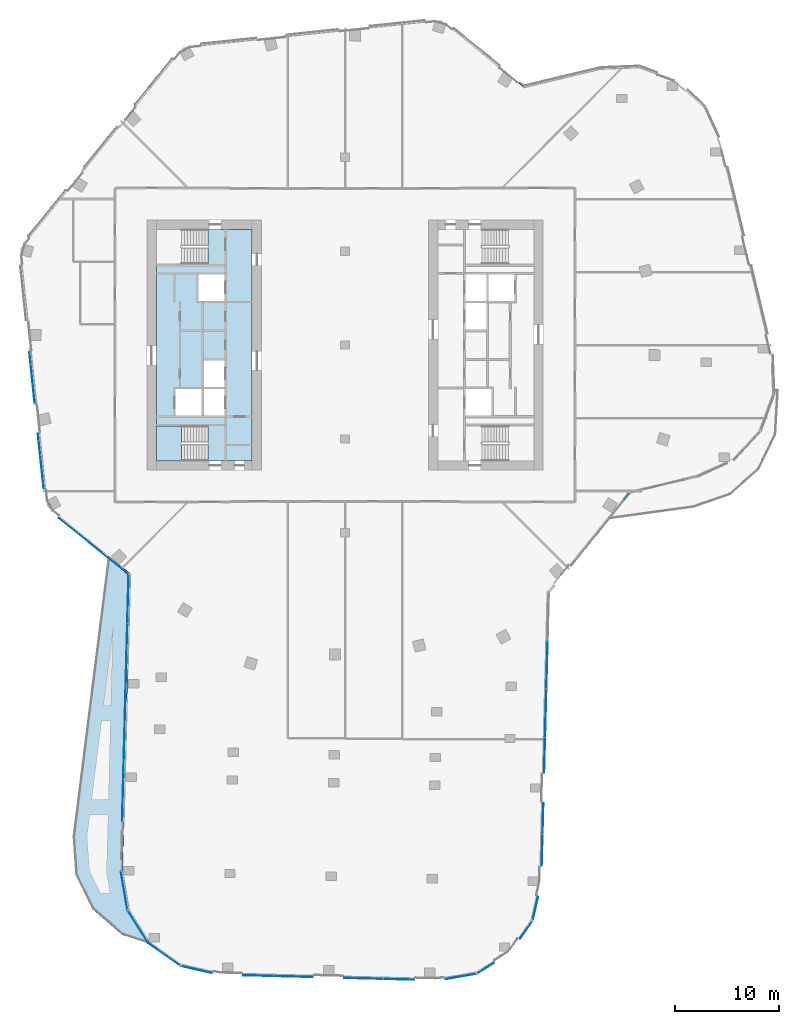
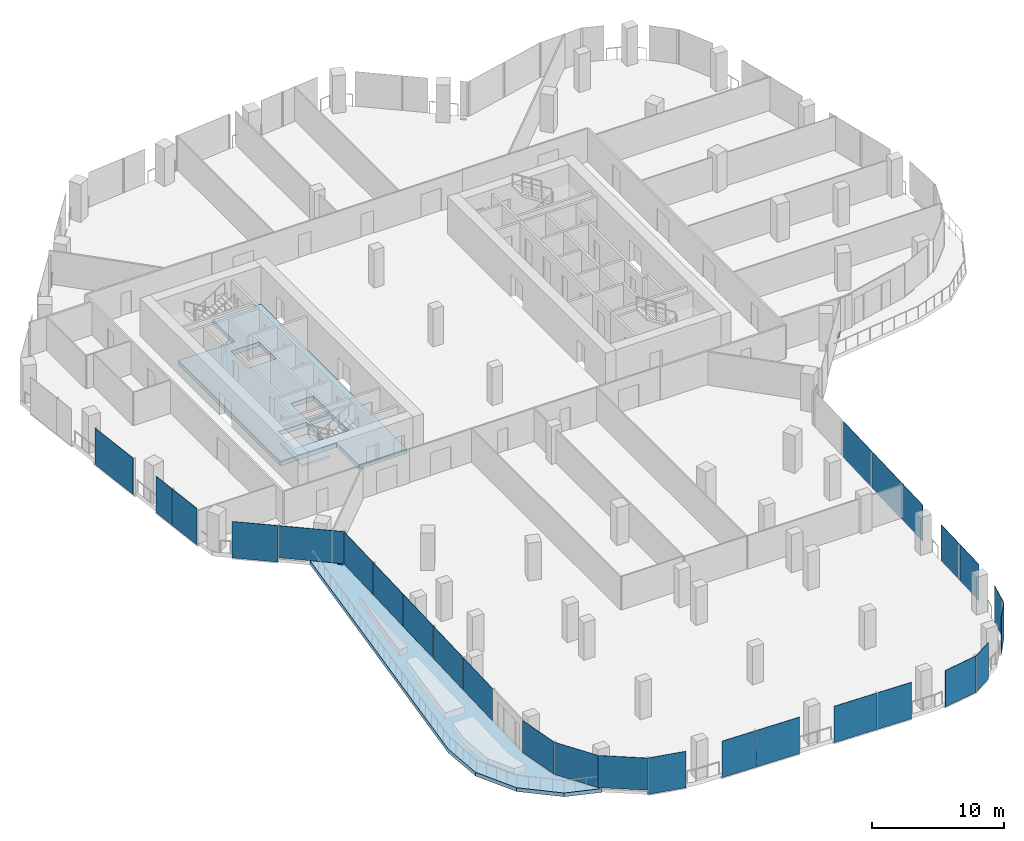
# One storey, part 10 of 24: 27 plates, 3 members, 3 slabs, 16 elements without a shape of their own.
"""IFC4 building model written with IfcOpenShell, lengths in metres."""

from ifc_helpers import new_model, si_unit, direction, frame, origin, origin_2d, place, context, subcontext, project, spatial, polyline, rectangle, outline, extrude, material, layer, layer_set, material_profile, profile_set, type_object, element, aggregate, save


model = new_model("IFC4")

# Units and contexts
model_context = context("Model", 3, precision=1e-05, world=origin(), true_north=direction((0.0, 1.0)))
body_context = subcontext(model_context, "Body", "Model", "MODEL_VIEW")
ifc_project = project(units=[si_unit("LENGTHUNIT", "METRE"), si_unit("AREAUNIT", "SQUARE_METRE"), si_unit("VOLUMEUNIT", "CUBIC_METRE"), si_unit("PLANEANGLEUNIT", "RADIAN"), si_unit("MASSUNIT", "GRAM", prefix="KILO")], contexts=[model_context])

# Site, building, storey
site_placement = place(None, origin())
site = spatial("IfcSite", under=ifc_project, at=site_placement, CompositionType="ELEMENT")
building_placement = place(site_placement, origin())
building = spatial("IfcBuilding", under=site, at=building_placement, Name="Orlundy Tower", CompositionType="ELEMENT")
storey_placement = place(building_placement, frame((0.0, 0.0, 210.5)))
storey = spatial("IfcBuildingStorey", under=building, at=storey_placement, Name="L55", CompositionType="ELEMENT", Elevation=210.5)

# Curtain wall, member
ifc_material_1 = material(Name="Aluminium bronze anodised", Category="aluminium")
curtain_wall_type = type_object("IfcCurtainWallType", Name="CW1 wall", PredefinedType="NOTDEFINED", material=ifc_material_1)
curtain_wall_1_placement = place(storey_placement, origin())
curtain_wall_1 = element("IfcCurtainWall", 1, at=curtain_wall_1_placement, inside=storey, type_object=curtain_wall_type, Name="CW1 run 01", PredefinedType="NOTDEFINED")
ifc_material_2 = material(Name="Aluminium bronze anodised", Category="aluminium")
ifc_material_profile = material_profile(ifc_material_2, rectangle(XDim=0.179931640625, YDim=0.1201171875, at=origin_2d()), Name="CW1 transom 180x120")
ifc_profile_set = profile_set([ifc_material_profile], Name="Aluminium bronze anodised")
member_type = type_object("IfcMemberType", Name="CW1 transom 180x120", PredefinedType="USERDEFINED", material=ifc_profile_set)
member_1_placement = place(storey_placement, frame((-20.7421875, -21.92138671875, 0.06005859375), z_axis=(-0.777128847746, 0.629341524136, 0.0), x_axis=(-0.629341524136, -0.777128847746, 0.0)))
member_1 = element("IfcMember", 2, at=member_1_placement, type_object=member_type, Name="CW1 transom", ObjectType="TRANSOM", PredefinedType="USERDEFINED", context=body_context, shape_type="SweptSolid", body=[
    extrude(rectangle(XDim=0.179931640625, YDim=0.1201171875, at=origin_2d()), origin(), (0.0, 0.0, 1.0), 0.441162109375),
])

curtain_wall_2_placement = place(storey_placement, origin())
curtain_wall_2 = element("IfcCurtainWall", 3, at=curtain_wall_2_placement, inside=storey, type_object=curtain_wall_type, Name="CW1 run 05", PredefinedType="NOTDEFINED")
member_2_placement = place(storey_placement, frame((16.701904296875, 25.193359375, -0.340087890625), z_axis=(0.777244870707, -0.629198228668, 0.0), x_axis=(0.629198228668, 0.777244870707, 0.0)))
member_2 = element("IfcMember", 4, at=member_2_placement, type_object=member_type, Name="CW1 transom", ObjectType="TRANSOM", PredefinedType="USERDEFINED", context=body_context, shape_type="SweptSolid", body=[
    extrude(rectangle(XDim=0.179931640625, YDim=0.1201171875, at=origin_2d()), origin(), (0.0, 0.0, 1.0), 0.527587890625),
])
aggregate(curtain_wall_2, [member_2])

curtain_wall_3_placement = place(storey_placement, origin())
curtain_wall_3 = element("IfcCurtainWall", 5, at=curtain_wall_3_placement, inside=storey, type_object=curtain_wall_type, Name="CW1 run 017", PredefinedType="NOTDEFINED")
member_3_placement = place(storey_placement, frame((27.237060546875, -14.17822265625, 0.06005859375), z_axis=(-0.62929884709, -0.777163406917, 0.0), x_axis=(0.777163406917, -0.62929884709, 0.0)))
member_3 = element("IfcMember", 6, at=member_3_placement, type_object=member_type, Name="CW1 transom", ObjectType="TRANSOM", PredefinedType="USERDEFINED", context=body_context, shape_type="SweptSolid", body=[
    extrude(rectangle(XDim=0.179931640625, YDim=0.1201171875, at=origin_2d()), origin(), (0.0, 0.0, 1.0), 0.767822265625),
])
aggregate(curtain_wall_3, [member_3])

# Curtain wall, plates
curtain_wall_4_placement = place(storey_placement, origin())
curtain_wall_4 = element("IfcCurtainWall", 7, at=curtain_wall_4_placement, inside=storey, type_object=curtain_wall_type, Name="CW1 run 00", PredefinedType="NOTDEFINED")
ifc_material_3 = material(Name="Tinted glass", Category="glass")
ifc_layer_1 = layer(ifc_material_3, 0.031982421875)
ifc_layer_set_1 = layer_set([ifc_layer_1], Name="CW1 glass panel 32")
plate_type = type_object("IfcPlateType", Name="CW1 glass panel 32", PredefinedType="CURTAIN_PANEL", material=ifc_layer_set_1)
plate_1_placement = place(storey_placement, frame((-21.30517578125, -43.323974609375, 0.1201171875), z_axis=(0.0, 0.0, 1.0), x_axis=(0.026180414199, 0.999657234212, 0.0)))
plate_1 = element("IfcPlate", 8, at=plate_1_placement, type_object=plate_type, Name="CW1 panel", PredefinedType="CURTAIN_PANEL", context=body_context, shape_type="SweptSolid", body=[
    extrude(rectangle(XDim=4.70556640625, YDim=0.031982421875, at=origin_2d()), origin(), (0.0, 0.0, 1.0), 2.97998046875),
])
plate_2_placement = place(storey_placement, frame((-21.1806640625, -38.570068359375, 0.1201171875), z_axis=(0.0, 0.0, 1.0), x_axis=(0.026180414199, 0.999657234212, 0.0)))
plate_2 = element("IfcPlate", 9, at=plate_2_placement, type_object=plate_type, Name="CW1 panel", PredefinedType="CURTAIN_PANEL", context=body_context, shape_type="SweptSolid", body=[
    extrude(rectangle(XDim=4.70556640625, YDim=0.031982421875, at=origin_2d()), origin(), (0.0, 0.0, 1.0), 2.97998046875),
])
plate_3_placement = place(storey_placement, frame((-21.05615234375, -33.81640625, 0.1201171875), z_axis=(0.0, 0.0, 1.0), x_axis=(0.026180414199, 0.999657234212, 0.0)))
plate_3 = element("IfcPlate", 10, at=plate_3_placement, type_object=plate_type, Name="CW1 panel", PredefinedType="CURTAIN_PANEL", context=body_context, shape_type="SweptSolid", body=[
    extrude(rectangle(XDim=4.70556640625, YDim=0.031982421875, at=origin_2d()), origin(), (0.0, 0.0, 1.0), 2.97998046875),
])
plate_4_placement = place(storey_placement, frame((-20.931640625, -29.0625, 0.1201171875), z_axis=(0.0, 0.0, 1.0), x_axis=(0.026180414199, 0.999657234212, 0.0)))
plate_4 = element("IfcPlate", 11, at=plate_4_placement, type_object=plate_type, Name="CW1 panel", PredefinedType="CURTAIN_PANEL", context=body_context, shape_type="SweptSolid", body=[
    extrude(rectangle(XDim=4.70556640625, YDim=0.031982421875, at=origin_2d()), origin(), (0.0, 0.0, 1.0), 2.97998046875),
])
plate_5_placement = place(storey_placement, frame((-20.807861328125, -24.336669921875, 0.1201171875), z_axis=(0.0, 0.0, 1.0), x_axis=(0.026180414199, 0.999657234212, 0.0)))
plate_5 = element("IfcPlate", 12, at=plate_5_placement, type_object=plate_type, Name="CW1 panel", PredefinedType="CURTAIN_PANEL", context=body_context, shape_type="SweptSolid", body=[
    extrude(rectangle(XDim=4.649658203125, YDim=0.031982421875, at=origin_2d()), origin(), (0.0, 0.0, 1.0), 2.97998046875),
])
aggregate(curtain_wall_4, [plate_1, plate_2, plate_3, plate_4, plate_5])

# Plate
plate_6_placement = place(storey_placement, frame((-22.69482421875, -20.435302734375, 0.1201171875), z_axis=(0.0, 0.0, 1.0), x_axis=(-0.77717662091, 0.629282527892, 0.0)))
plate_6 = element("IfcPlate", 13, at=plate_6_placement, type_object=plate_type, Name="CW1 panel", PredefinedType="CURTAIN_PANEL", context=body_context, shape_type="SweptSolid", body=[
    extrude(rectangle(XDim=5.0126953125, YDim=0.031982421875, at=origin_2d()), origin(), (0.0, 0.0, 1.0), 2.97998046875),
])

plate_7_placement = place(storey_placement, frame((-26.057861328125, -17.71240234375, -0.280029296875), z_axis=(0.0, 0.0, 1.0), x_axis=(-0.77717662091, 0.629282527892, 0.0)))
plate_7 = element("IfcPlate", 14, at=plate_7_placement, type_object=plate_type, Name="CW1 panel", PredefinedType="CURTAIN_PANEL", context=body_context, shape_type="SweptSolid", body=[
    extrude(rectangle(XDim=3.54150390625, YDim=0.031982421875, at=origin_2d()), origin(), (0.0, 0.0, 1.0), 3.3798828125),
])

aggregate(curtain_wall_1, [plate_6, plate_7, member_1])

# Curtain wall, plates
curtain_wall_5_placement = place(storey_placement, origin())
curtain_wall_5 = element("IfcCurtainWall", 15, at=curtain_wall_5_placement, inside=storey, type_object=curtain_wall_type, Name="CW1 run 02", PredefinedType="NOTDEFINED")
plate_8_placement = place(storey_placement, frame((-29.050048828125, -12.181396484375, -0.280029296875), z_axis=(0.0, 0.0, 1.0), x_axis=(-0.104538162943, 0.994520875843, 0.0)))
plate_8 = element("IfcPlate", 16, at=plate_8_placement, type_object=plate_type, Name="CW1 panel", PredefinedType="CURTAIN_PANEL", context=body_context, shape_type="SweptSolid", body=[
    extrude(rectangle(XDim=3.194580078125, YDim=0.031982421875, at=origin_2d()), origin(), (0.0, 0.0, 1.0), 3.3798828125),
])
plate_9_placement = place(storey_placement, frame((-29.3291015625, -9.52685546875, -0.280029296875), z_axis=(0.0, 0.0, 1.0), x_axis=(-0.104538162943, 0.994520875843, 0.0)))
plate_9 = element("IfcPlate", 17, at=plate_9_placement, type_object=plate_type, Name="CW1 panel", PredefinedType="CURTAIN_PANEL", context=body_context, shape_type="SweptSolid", body=[
    extrude(rectangle(XDim=2.04345703125, YDim=0.031982421875, at=origin_2d()), origin(), (0.0, 0.0, 1.0), 3.3798828125),
])
plate_10_placement = place(storey_placement, frame((-29.9990234375, -3.153076171875, -0.280029296875), z_axis=(0.0, 0.0, 1.0), x_axis=(-0.104538162943, 0.994520875843, 0.0)))
plate_10 = element("IfcPlate", 18, at=plate_10_placement, type_object=plate_type, Name="CW1 panel", PredefinedType="CURTAIN_PANEL", context=body_context, shape_type="SweptSolid", body=[
    extrude(rectangle(XDim=4.92041015625, YDim=0.031982421875, at=origin_2d()), origin(), (0.0, 0.0, 1.0), 3.3798828125),
])
aggregate(curtain_wall_5, [plate_8, plate_9, plate_10])

curtain_wall_6_placement = place(storey_placement, origin())
curtain_wall_6 = element("IfcCurtainWall", 19, at=curtain_wall_6_placement, inside=storey, type_object=curtain_wall_type, Name="CW1 run 018", PredefinedType="NOTDEFINED")
plate_11_placement = place(storey_placement, frame((19.3671875, -30.678955078125, -0.280029296875), z_axis=(0.0, 0.0, 1.0), x_axis=(-0.026165655813, -0.999657620616, 0.0)))
plate_11 = element("IfcPlate", 20, at=plate_11_placement, type_object=plate_type, Name="CW1 panel", PredefinedType="CURTAIN_PANEL", context=body_context, shape_type="SweptSolid", body=[
    extrude(rectangle(XDim=4.580810546875, YDim=0.031982421875, at=origin_2d()), origin(), (0.0, 0.0, 1.0), 3.3798828125),
])
plate_12_placement = place(storey_placement, frame((19.24609375, -35.30810546875, -0.280029296875), z_axis=(0.0, 0.0, 1.0), x_axis=(-0.026165655813, -0.999657620616, 0.0)))
plate_12 = element("IfcPlate", 21, at=plate_12_placement, type_object=plate_type, Name="CW1 panel", PredefinedType="CURTAIN_PANEL", context=body_context, shape_type="SweptSolid", body=[
    extrude(rectangle(XDim=4.580810546875, YDim=0.031982421875, at=origin_2d()), origin(), (0.0, 0.0, 1.0), 3.3798828125),
])
plate_13_placement = place(storey_placement, frame((19.14111328125, -39.318115234375, -0.280029296875), z_axis=(0.0, 0.0, 1.0), x_axis=(-0.026165655813, -0.999657620616, 0.0)))
plate_13 = element("IfcPlate", 22, at=plate_13_placement, type_object=plate_type, Name="CW1 panel", PredefinedType="CURTAIN_PANEL", context=body_context, shape_type="SweptSolid", body=[
    extrude(rectangle(XDim=3.341796875, YDim=0.031982421875, at=origin_2d()), origin(), (0.0, 0.0, 1.0), 3.3798828125),
])
plate_14_placement = place(storey_placement, frame((18.98193359375, -45.393798828125, -0.280029296875), z_axis=(0.0, 0.0, 1.0), x_axis=(-0.026165655813, -0.999657620616, 0.0)))
plate_14 = element("IfcPlate", 23, at=plate_14_placement, type_object=plate_type, Name="CW1 panel", PredefinedType="CURTAIN_PANEL", context=body_context, shape_type="SweptSolid", body=[
    extrude(rectangle(XDim=2.925537109375, YDim=0.031982421875, at=origin_2d()), origin(), (0.0, 0.0, 1.0), 3.3798828125),
])
plate_15_placement = place(storey_placement, frame((18.90283203125, -48.419189453125, -0.280029296875), z_axis=(0.0, 0.0, 1.0), x_axis=(-0.026165655813, -0.999657620616, 0.0)))
plate_15 = element("IfcPlate", 24, at=plate_15_placement, type_object=plate_type, Name="CW1 panel", PredefinedType="CURTAIN_PANEL", context=body_context, shape_type="SweptSolid", body=[
    extrude(rectangle(XDim=3.027099609375, YDim=0.031982421875, at=origin_2d()), origin(), (0.0, 0.0, 1.0), 3.3798828125),
])
aggregate(curtain_wall_6, [plate_11, plate_12, plate_13, plate_14, plate_15])

# Curtain wall, plate
curtain_wall_7_placement = place(storey_placement, origin())
curtain_wall_7 = element("IfcCurtainWall", 25, at=curtain_wall_7_placement, inside=storey, type_object=curtain_wall_type, Name="CW1 run 019", PredefinedType="NOTDEFINED")
plate_16_placement = place(storey_placement, frame((18.25, -54.052490234375, -0.280029296875), z_axis=(0.0, 0.0, 1.0), x_axis=(-0.220699748267, -0.975341797072, 0.0)))
plate_16 = element("IfcPlate", 26, at=plate_16_placement, type_object=plate_type, Name="CW1 panel", PredefinedType="CURTAIN_PANEL", context=body_context, shape_type="SweptSolid", body=[
    extrude(rectangle(XDim=2.33056640625, YDim=0.031982421875, at=origin_2d()), origin(), (0.0, 0.0, 1.0), 3.3798828125),
])
aggregate(curtain_wall_7, [plate_16])

curtain_wall_8_placement = place(storey_placement, origin())
curtain_wall_8 = element("IfcCurtainWall", 27, at=curtain_wall_8_placement, inside=storey, type_object=curtain_wall_type, Name="CW1 run 020", PredefinedType="NOTDEFINED")
plate_17_placement = place(storey_placement, frame((17.3916015625, -56.039794921875, -0.280029296875), z_axis=(0.0, 0.0, 1.0), x_axis=(-0.577096231381, -0.816676153518, 0.0)))
plate_17 = element("IfcPlate", 28, at=plate_17_placement, type_object=plate_type, Name="CW1 panel", PredefinedType="CURTAIN_PANEL", context=body_context, shape_type="SweptSolid", body=[
    extrude(rectangle(XDim=2.083740234375, YDim=0.031982421875, at=origin_2d()), origin(), (0.0, 0.0, 1.0), 3.3798828125),
])
aggregate(curtain_wall_8, [plate_17])

curtain_wall_9_placement = place(storey_placement, origin())
curtain_wall_9 = element("IfcCurtainWall", 29, at=curtain_wall_9_placement, inside=storey, type_object=curtain_wall_type, Name="CW1 run 021", PredefinedType="NOTDEFINED")
plate_18_placement = place(storey_placement, frame((13.471435546875, -59.74853515625, -0.280029296875), z_axis=(0.0, 0.0, 1.0), x_axis=(-0.845732410351, -0.533607243282, 0.0)))
plate_18 = element("IfcPlate", 30, at=plate_18_placement, type_object=plate_type, Name="CW1 panel", PredefinedType="CURTAIN_PANEL", context=body_context, shape_type="SweptSolid", body=[
    extrude(rectangle(XDim=1.99951171875, YDim=0.031982421875, at=origin_2d()), origin(), (0.0, 0.0, 1.0), 3.3798828125),
])
aggregate(curtain_wall_9, [plate_18])

curtain_wall_10_placement = place(storey_placement, origin())
curtain_wall_10 = element("IfcCurtainWall", 31, at=curtain_wall_10_placement, inside=storey, type_object=curtain_wall_type, Name="CW1 run 022", PredefinedType="NOTDEFINED")
plate_19_placement = place(storey_placement, frame((11.130615234375, -60.539306640625, -0.280029296875), z_axis=(0.0, 0.0, 1.0), x_axis=(-0.985542556373, -0.169428066085, 0.0)))
plate_19 = element("IfcPlate", 32, at=plate_19_placement, type_object=plate_type, Name="CW1 panel", PredefinedType="CURTAIN_PANEL", context=body_context, shape_type="SweptSolid", body=[
    extrude(rectangle(XDim=3.03466796875, YDim=0.031982421875, at=origin_2d()), origin(), (0.0, 0.0, 1.0), 3.3798828125),
])
aggregate(curtain_wall_10, [plate_19])

# Curtain wall, plates
curtain_wall_11_placement = place(storey_placement, origin())
curtain_wall_11 = element("IfcCurtainWall", 33, at=curtain_wall_11_placement, inside=storey, type_object=curtain_wall_type, Name="CW1 run 023", PredefinedType="NOTDEFINED")
plate_20_placement = place(storey_placement, frame((5.154052734375, -60.819580078125, -0.280029296875), z_axis=(0.0, 0.0, 1.0), x_axis=(-0.999656977295, 0.026190222342, 0.0)))
plate_20 = element("IfcPlate", 34, at=plate_20_placement, type_object=plate_type, Name="CW1 panel", PredefinedType="CURTAIN_PANEL", context=body_context, shape_type="SweptSolid", body=[
    extrude(rectangle(XDim=2.9384765625, YDim=0.031982421875, at=origin_2d()), origin(), (0.0, 0.0, 1.0), 3.3798828125),
])
plate_21_placement = place(storey_placement, frame((1.78759765625, -60.7314453125, -0.280029296875), z_axis=(0.0, 0.0, 1.0), x_axis=(-0.999656977295, 0.026190222342, 0.0)))
plate_21 = element("IfcPlate", 35, at=plate_21_placement, type_object=plate_type, Name="CW1 panel", PredefinedType="CURTAIN_PANEL", context=body_context, shape_type="SweptSolid", body=[
    extrude(rectangle(XDim=3.697265625, YDim=0.031982421875, at=origin_2d()), origin(), (0.0, 0.0, 1.0), 3.3798828125),
])
plate_22_placement = place(storey_placement, frame((-4.943359375, -60.554931640625, -0.280029296875), z_axis=(0.0, 0.0, 1.0), x_axis=(-0.999656977295, 0.026190222342, 0.0)))
plate_22 = element("IfcPlate", 36, at=plate_22_placement, type_object=plate_type, Name="CW1 panel", PredefinedType="CURTAIN_PANEL", context=body_context, shape_type="SweptSolid", body=[
    extrude(rectangle(XDim=3.73681640625, YDim=0.031982421875, at=origin_2d()), origin(), (0.0, 0.0, 1.0), 3.3798828125),
])
plate_23_placement = place(storey_placement, frame((-8.307373046875, -60.466796875, -0.280029296875), z_axis=(0.0, 0.0, 1.0), x_axis=(-0.999656977295, 0.026190222342, 0.0)))
plate_23 = element("IfcPlate", 37, at=plate_23_placement, type_object=plate_type, Name="CW1 panel", PredefinedType="CURTAIN_PANEL", context=body_context, shape_type="SweptSolid", body=[
    extrude(rectangle(XDim=2.893798828125, YDim=0.031982421875, at=origin_2d()), origin(), (0.0, 0.0, 1.0), 3.3798828125),
])
aggregate(curtain_wall_11, [plate_20, plate_21, plate_22, plate_23])

# Curtain wall, plate
curtain_wall_12_placement = place(storey_placement, origin())
curtain_wall_12 = element("IfcCurtainWall", 38, at=curtain_wall_12_placement, inside=storey, type_object=curtain_wall_type, Name="CW1 run 024", PredefinedType="NOTDEFINED")
plate_24_placement = place(storey_placement, frame((-14.26953125, -59.876708984375, -0.280029296875), z_axis=(0.0, 0.0, 1.0), x_axis=(-0.975341797072, 0.220699748267, 0.0)))
plate_24 = element("IfcPlate", 39, at=plate_24_placement, type_object=plate_type, Name="CW1 panel", PredefinedType="CURTAIN_PANEL", context=body_context, shape_type="SweptSolid", body=[
    extrude(rectangle(XDim=3.0625, YDim=0.031982421875, at=origin_2d()), origin(), (0.0, 0.0, 1.0), 3.3798828125),
])
aggregate(curtain_wall_12, [plate_24])

curtain_wall_13_placement = place(storey_placement, origin())
curtain_wall_13 = element("IfcCurtainWall", 40, at=curtain_wall_13_placement, inside=storey, type_object=curtain_wall_type, Name="CW1 run 025", PredefinedType="NOTDEFINED")
plate_25_placement = place(storey_placement, frame((-17.30322265625, -58.450439453125, 0.1201171875), z_axis=(0.0, 0.0, 1.0), x_axis=(-0.816676153518, 0.577096231381, 0.0)))
plate_25 = element("IfcPlate", 41, at=plate_25_placement, type_object=plate_type, Name="CW1 panel", PredefinedType="CURTAIN_PANEL", context=body_context, shape_type="SweptSolid", body=[
    extrude(rectangle(XDim=3.771728515625, YDim=0.031982421875, at=origin_2d()), origin(), (0.0, 0.0, 1.0), 2.97998046875),
])
aggregate(curtain_wall_13, [plate_25])

curtain_wall_14_placement = place(storey_placement, origin())
curtain_wall_14 = element("IfcCurtainWall", 42, at=curtain_wall_14_placement, inside=storey, type_object=curtain_wall_type, Name="CW1 run 026", PredefinedType="NOTDEFINED")
plate_26_placement = place(storey_placement, frame((-19.849609375, -55.76708984375, 0.1201171875), z_axis=(0.0, 0.0, 1.0), x_axis=(-0.533607243282, 0.845732410351, 0.0)))
plate_26 = element("IfcPlate", 43, at=plate_26_placement, type_object=plate_type, Name="CW1 panel", PredefinedType="CURTAIN_PANEL", context=body_context, shape_type="SweptSolid", body=[
    extrude(rectangle(XDim=3.77197265625, YDim=0.031982421875, at=origin_2d()), origin(), (0.0, 0.0, 1.0), 2.97998046875),
])
aggregate(curtain_wall_14, [plate_26])

curtain_wall_15_placement = place(storey_placement, origin())
curtain_wall_15 = element("IfcCurtainWall", 44, at=curtain_wall_15_placement, inside=storey, type_object=curtain_wall_type, Name="CW1 run 027", PredefinedType="NOTDEFINED")
plate_27_placement = place(storey_placement, frame((-21.172119140625, -52.333740234375, 0.1201171875), z_axis=(0.0, 0.0, 1.0), x_axis=(-0.169428066085, 0.985542556373, 0.0)))
plate_27 = element("IfcPlate", 45, at=plate_27_placement, type_object=plate_type, Name="CW1 panel", PredefinedType="CURTAIN_PANEL", context=body_context, shape_type="SweptSolid", body=[
    extrude(rectangle(XDim=3.730224609375, YDim=0.031982421875, at=origin_2d()), origin(), (0.0, 0.0, 1.0), 2.97998046875),
])
aggregate(curtain_wall_15, [plate_27])

# Slab
ifc_material_4 = material(Name="Concrete C50/60", Category="concrete")
ifc_layer_2 = layer(ifc_material_4, 0.409912109375)
ifc_layer_set_2 = layer_set([ifc_layer_2], Name="Core Floor Slab 410")
slab_type_1 = type_object("IfcSlabType", Name="Core Floor Slab 410", PredefinedType="FLOOR", material=ifc_layer_set_2)
slab_1_placement = place(storey_placement, frame((0.0, 0.0, -0.409912109375)))
element("IfcSlab", 46, at=slab_1_placement, inside=storey, type_object=slab_type_1, Name="Core floor W42", PredefinedType="FLOOR", context=body_context, shape_type="SweptSolid", body=[
    extrude(outline(polyline([(-18.10009765625, 7.75), (-13.14501953125, 7.75), (-13.14501953125, 11.10009765625), (-8.89990234375, 11.10009765625), (-8.89990234375, -11.10009765625), (-13.14501953125, -11.10009765625), (-13.14501953125, -7.75), (-18.10009765625, -7.75), (-18.10009765625, 7.75)]), holes=[polyline([(-13.5400390625, -4.22509765625), (-13.5400390625, -6.77490234375), (-11.5400390625, -6.77490234375), (-11.5400390625, -4.22509765625), (-13.5400390625, -4.22509765625)]), polyline([(-13.739990234375, -4.22509765625), (-16.239990234375, -4.22509765625), (-16.239990234375, -6.77490234375), (-13.739990234375, -6.77490234375), (-13.739990234375, -4.22509765625)]), polyline([(-11.5400390625, -4.02490234375), (-11.5400390625, -1.47509765625), (-13.5400390625, -1.47509765625), (-13.5400390625, -4.02490234375), (-11.5400390625, -4.02490234375)]), polyline([(-14.0400390625, 4.22509765625), (-11.5400390625, 4.22509765625), (-11.5400390625, 6.77490234375), (-14.0400390625, 6.77490234375), (-14.0400390625, 4.22509765625)])]), origin(), (0.0, 0.0, 1.0), 0.409912109375),
])

# Stair, slab
ifc_material_5 = material(Name="Concrete C50/60", Category="concrete")
stair_type = type_object("IfcStairType", Name="Exit Stair 20 risers", PredefinedType="HALF_TURN_STAIR", material=ifc_material_5)
stair_placement = place(storey_placement, origin())
stair = element("IfcStair", 47, at=stair_placement, inside=storey, type_object=stair_type, Name="L55 Exit Stair ST-W2", PredefinedType="HALF_TURN_STAIR")
ifc_material_6 = material(Name="Concrete C50/60", Category="concrete")
ifc_layer_3 = layer(ifc_material_6, 0.199951171875)
ifc_layer_set_3 = layer_set([ifc_layer_3], Name="Exit Stair Landing")
slab_type_2 = type_object("IfcSlabType", Name="Exit Stair Landing", PredefinedType="LANDING", material=ifc_layer_set_3)
slab_2_placement = place(storey_placement, frame((0.0, 0.0, 1.550048828125)))
slab_2 = element("IfcSlab", 48, at=slab_2_placement, type_object=slab_type_2, Name="ST-W2 landing 1", PredefinedType="LANDING", context=body_context, shape_type="SweptSolid", body=[
    extrude(outline(polyline([(-15.659912109375, -7.75), (-18.10009765625, -7.75), (-18.10009765625, -11.10009765625), (-15.659912109375, -11.10009765625), (-15.659912109375, -7.75)])), origin(), (0.0, 0.0, 1.0), 0.199951171875),
])
aggregate(stair, [slab_2])

# Slab
ifc_material_7 = material(Name="Concrete C45/55", Category="concrete")
ifc_layer_4 = layer(ifc_material_7, 0.35009765625)
ifc_layer_set_4 = layer_set([ifc_layer_4], Name="TERRACE SLAB 350 C45/55")
slab_type_3 = type_object("IfcSlabType", Name="TERRACE SLAB 350 C45/55", PredefinedType="ROOF", material=ifc_layer_set_4)
slab_3_placement = place(storey_placement, frame((0.0, 0.0, -0.35009765625)))
element("IfcSlab", 49, at=slab_3_placement, inside=storey, type_object=slab_type_3, Name="Terrace slab L55-2", PredefinedType="ROOF", context=body_context, shape_type="SweptSolid", body=[
    extrude(outline(polyline([(-22.699951171875, -20.218994140625), (-20.5810546875, -21.93603515625), (-21.327880859375, -50.458984375), (-20.699951171875, -54.112060546875), (-18.573974609375, -57.48095703125), (-21.35888671875, -56.553955078125), (-24.158935546875, -54.1259765625), (-25.818115234375, -50.81201171875), (-26.08203125, -47.114013671875), (-22.699951171875, -20.218994140625)])), origin(), (0.0, 0.0, 1.0), 0.35009765625),
])

save(model, "model.ifc")
